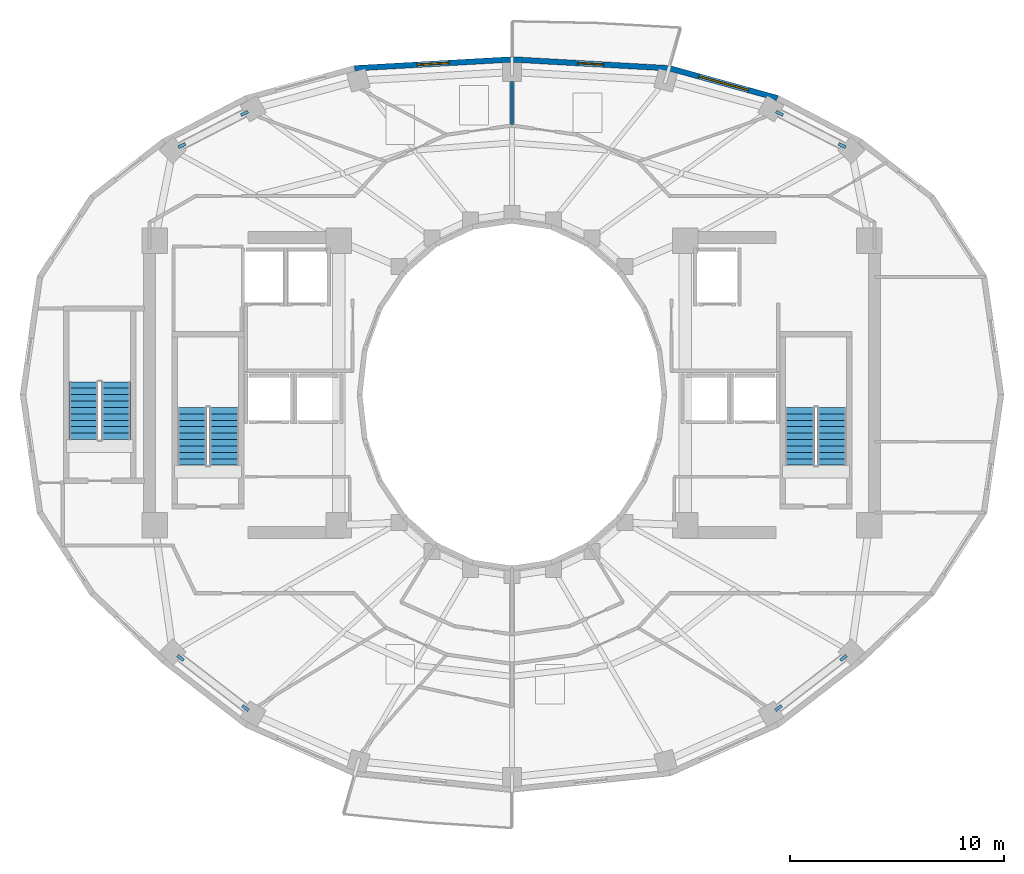
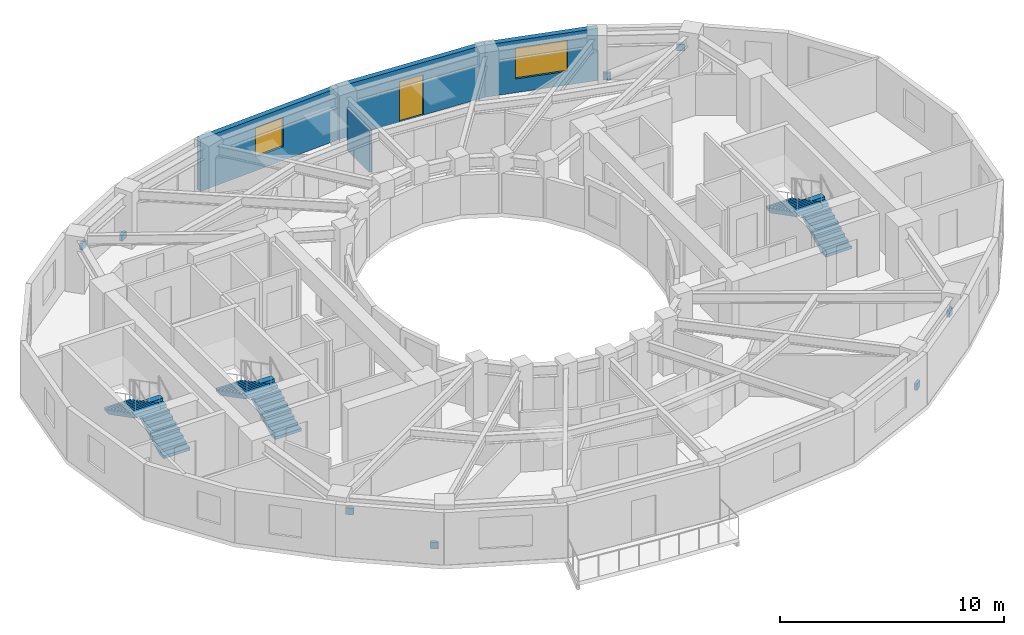
# One storey, part 7 of 9: 8 discrete accessories, 6 stair flights, 4 walls, 2 windows, 1 door, 3 openings, 3 elements without a shape of their own.
"""IFC4 building model written with IfcOpenShell, lengths in metres."""

from ifc_helpers import new_model, si_unit, direction, frame, frame_2d, origin, origin_2d, place, context, subcontext, project, spatial, polyline, rectangle, outline, extrude, material, layer, layer_set, type_object, element, fill, aggregate, save


model = new_model("IFC4")

# Units and contexts
model_context = context("Model", 3, precision=1e-05, world=origin(), true_north=direction((0.0, 1.0)))
body_context = subcontext(model_context, "Body", "Model", "MODEL_VIEW")
ifc_project = project(units=[si_unit("LENGTHUNIT", "METRE"), si_unit("AREAUNIT", "SQUARE_METRE"), si_unit("VOLUMEUNIT", "CUBIC_METRE"), si_unit("PLANEANGLEUNIT", "RADIAN"), si_unit("MASSUNIT", "GRAM", prefix="KILO")], contexts=[model_context])

# Site, building, storey
site_placement = place(None, origin())
site = spatial("IfcSite", under=ifc_project, at=site_placement, CompositionType="ELEMENT")
building_placement = place(site_placement, origin())
building = spatial("IfcBuilding", under=site, at=building_placement, Name="Solvane Sanctuary Tower", CompositionType="ELEMENT")
storey_placement = place(building_placement, frame((0.0, 0.0, 174.60009765625)))
storey = spatial("IfcBuildingStorey", under=building, at=storey_placement, Name="L53", CompositionType="ELEMENT", Elevation=174.60009765625)

# Wall, opening, window
ifc_material_1 = material(Name="Precast concrete C40/50", Category="concrete")
ifc_layer_1 = layer(ifc_material_1, 0.260009765625, Name="Precast concrete C40/50")
ifc_layer_set_1 = layer_set([ifc_layer_1], Name="Precast concrete C40/50")
wall_type_1 = type_object("IfcWallType", Name="Wall W-EXT-250", PredefinedType="STANDARD", material=ifc_layer_set_1)
wall_1_placement = place(storey_placement, frame((44.4130859375, 36.86328125, 0.0), z_axis=(0.0, 0.0, 1.0), x_axis=(-0.963953455704, 0.26607092144, 0.0)))
wall_1 = element("IfcWall", 1, at=wall_1_placement, inside=storey, type_object=wall_type_1, Name="L53 Ceramic-Printed Facade Wall 04", PredefinedType="STANDARD", context=body_context, shape_type="SweptSolid", body=[
    extrude(rectangle(XDim=5.236572265625, YDim=0.260009765625, at=frame_2d((2.6181640625, 0.0))), origin(), (0.0, 0.0, 1.0), 2.849853515625),
])
opening_1_placement = place(wall_1_placement, frame((1.418212890625, 0.0, 0.75)))
opening_1 = element("IfcOpeningElement", 2, at=opening_1_placement, cuts=wall_1, Name="Opening WN-RIB-2400", PredefinedType="OPENING", context=body_context, shape_type="SweptSolid", body=[
    extrude(rectangle(XDim=2.39990234375, YDim=1.699951171875, at=frame_2d((1.199951171875, 0.85009765625))), frame((0.0, 0.139892578125, 0.0), z_axis=(0.0, -1.0, 0.0), x_axis=(1.0, 0.0, 0.0)), (0.0, 0.0, 1.0), 0.280029296875),
])
ifc_material_2 = material(Name="Dark Ceramic-Fritted Low-E Glass", Category="glass")
window_type_1 = type_object("IfcWindowType", Name="Window WN-RIB-2400", PartitioningType="SINGLE_PANEL", PredefinedType="WINDOW", material=ifc_material_2)
window_1_placement = place(opening_1_placement, origin())
window_1 = element("IfcWindow", 3, at=window_1_placement, inside=storey, type_object=window_type_1, Name="L53 Operable Facade Window 04", OverallHeight=1.699951171875, OverallWidth=2.39990234375, PartitioningType="SINGLE_PANEL", PredefinedType="WINDOW", context=body_context, shape_type="SweptSolid", body=[
    extrude(rectangle(XDim=2.39990234375, YDim=1.699951171875, at=frame_2d((1.199951171875, 0.85009765625))), frame((0.0, 0.030029296875, 0.0), z_axis=(0.0, -1.0, 0.0), x_axis=(1.0, 0.0, 0.0)), (0.0, 0.0, 1.0), 0.06005859375),
])
fill(opening_1, window_1)

# Wall, opening, door
wall_2_placement = place(storey_placement, frame((39.365234375, 38.256591796875, 0.0), z_axis=(0.0, 0.0, 1.0), x_axis=(-0.998417906562, 0.056228852534, 0.0)))
wall_2 = element("IfcWall", 4, at=wall_2_placement, inside=storey, type_object=wall_type_1, Name="L53 Balcony Facade Wall NC", PredefinedType="STANDARD", context=body_context, shape_type="SweptSolid", body=[
    extrude(rectangle(XDim=7.376953125, YDim=0.260009765625, at=frame_2d((3.6884765625, 0.0))), origin(), (0.0, 0.0, 1.0), 2.8798828125),
])
opening_2_placement = place(wall_2_placement, frame((3.08837890625, 0.0, 0.0)))
opening_2 = element("IfcOpeningElement", 5, at=opening_2_placement, cuts=wall_2, Name="Opening D-L53-01", PredefinedType="OPENING", context=body_context, shape_type="SweptSolid", body=[
    extrude(rectangle(XDim=1.199951171875, YDim=2.199951171875, at=frame_2d((0.60009765625, 1.10009765625))), frame((0.0, 0.139892578125, 0.0), z_axis=(0.0, -1.0, 0.0), x_axis=(1.0, 0.0, 0.0)), (0.0, 0.0, 1.0), 0.280029296875),
])
ifc_material_3 = material(Name="Anodised Aluminium 6063-T6", Category="aluminium")
door_type = type_object("IfcDoorType", Name="Door D-BALC-1200", OperationType="NOTDEFINED", PredefinedType="DOOR", material=ifc_material_3)
door_placement = place(opening_2_placement, origin())
door = element("IfcDoor", 6, at=door_placement, inside=storey, type_object=door_type, Name="L53 Glazed Balcony Door NC", OperationType="SINGLE_SWING_RIGHT", OverallHeight=2.199951171875, OverallWidth=1.199951171875, PredefinedType="DOOR", context=body_context, shape_type="SweptSolid", body=[
    extrude(rectangle(XDim=1.199951171875, YDim=2.199951171875, at=frame_2d((0.60009765625, 1.10009765625))), frame((0.0, 0.02490234375, 0.0), z_axis=(0.0, -1.0, 0.0), x_axis=(1.0, 0.0, 0.0)), (0.0, 0.0, 1.0), 0.050048828125),
])
fill(opening_2, door)

# Wall, opening, window
wall_3_placement = place(storey_placement, frame((32.0, 38.67138671875, 0.0), z_axis=(0.0, 0.0, 1.0), x_axis=(-0.998417906562, -0.056228852534, 0.0)))
wall_3 = element("IfcWall", 7, at=wall_3_placement, inside=storey, type_object=wall_type_1, Name="L53 Ceramic-Printed Facade Wall 06", PredefinedType="STANDARD", context=body_context, shape_type="SweptSolid", body=[
    extrude(rectangle(XDim=7.376953125, YDim=0.260009765625, at=frame_2d((3.6884765625, 0.0))), origin(), (0.0, 0.0, 1.0), 2.849853515625),
])
opening_3_placement = place(wall_3_placement, frame((2.9384765625, 0.0, 0.75)))
opening_3 = element("IfcOpeningElement", 8, at=opening_3_placement, cuts=wall_3, Name="Opening WN-OPER-1500", PredefinedType="OPENING", context=body_context, shape_type="SweptSolid", body=[
    extrude(rectangle(XDim=1.5, YDim=1.60009765625, at=frame_2d((0.75, 0.800048828125))), frame((0.0, 0.139892578125, 0.0), z_axis=(0.0, -1.0, 0.0), x_axis=(1.0, 0.0, 0.0)), (0.0, 0.0, 1.0), 0.280029296875),
])
window_type_2 = type_object("IfcWindowType", Name="Window WN-OPER-1500", PartitioningType="SINGLE_PANEL", PredefinedType="WINDOW", material=ifc_material_2)
window_2_placement = place(opening_3_placement, origin())
window_2 = element("IfcWindow", 9, at=window_2_placement, inside=storey, type_object=window_type_2, Name="L53 Operable Facade Window 06", OverallHeight=1.60009765625, OverallWidth=1.5, PartitioningType="SINGLE_PANEL", PredefinedType="WINDOW", context=body_context, shape_type="SweptSolid", body=[
    extrude(rectangle(XDim=1.5, YDim=1.60009765625, at=frame_2d((0.75, 0.800048828125))), frame((0.0, 0.030029296875, 0.0), z_axis=(0.0, -1.0, 0.0), x_axis=(1.0, 0.0, 0.0)), (0.0, 0.0, 1.0), 0.06005859375),
])
fill(opening_3, window_2)

# Wall
ifc_material_4 = material(Name="Acoustic Gypsum Partition Board")
ifc_layer_2 = layer(ifc_material_4, 0.125, Name="Acoustic Gypsum Partition Board")
ifc_layer_set_2 = layer_set([ifc_layer_2], Name="Acoustic Gypsum Partition Board")
wall_type_2 = type_object("IfcWallType", Name="Wall W-PART-125", PredefinedType="PARTITIONING", material=ifc_layer_set_2)
wall_4_placement = place(storey_placement, frame((32.0, 35.636962890625, 0.0), z_axis=(0.0, 0.0, 1.0), x_axis=(0.0, 1.0, 0.0)))
element("IfcWall", 10, at=wall_4_placement, inside=storey, type_object=wall_type_2, Name="L53 Radial Compartment Wall 090", PredefinedType="PARTITIONING", context=body_context, shape_type="SweptSolid", body=[
    extrude(rectangle(XDim=2.012939453125, YDim=0.125, at=frame_2d((1.00634765625, 0.0))), origin(), (0.0, 0.0, 1.0), 2.298828125),
])

# Stair, stair flights
ifc_material_5 = material(Name="Concrete C45/55", Category="concrete")
stair_type = type_object("IfcStairType", Name="Stair ST-TOW", PredefinedType="HALF_TURN_STAIR", material=ifc_material_5)
stair_1_placement = place(storey_placement, origin())
stair_1 = element("IfcStair", 11, at=stair_1_placement, inside=storey, type_object=stair_type, Name="L53 Exit Stair ST-1 West Core", PredefinedType="HALF_TURN_STAIR")
stair_flight_type = type_object("IfcStairFlightType", Name="StairFlight SF-TOW", PredefinedType="STRAIGHT", material=ifc_material_5)
stair_flight_1_placement = place(storey_placement, frame((18.544921875, 19.699951171875, 0.0), z_axis=(0.0, 0.0, 1.0), x_axis=(0.0, 1.0, 0.0)))
stair_flight_1 = element("IfcStairFlight", 12, at=stair_flight_1_placement, type_object=stair_flight_type, Name="ST-1 flight 1", NumberOfRisers=10, NumberOfTreads=9, PredefinedType="STRAIGHT", RiserHeight=0.155, TreadLength=0.3, context=body_context, shape_type="SweptSolid", body=[
    extrude(outline(polyline([(0.0, 0.0), (0.0, 0.155029296875), (0.300048828125, 0.155029296875), (0.300048828125, 0.31005859375), (0.60009765625, 0.31005859375), (0.60009765625, 0.465087890625), (0.89990234375, 0.465087890625), (0.89990234375, 0.6201171875), (1.199951171875, 0.6201171875), (1.199951171875, 0.77490234375), (1.5, 0.77490234375), (1.5, 0.929931640625), (1.800048828125, 0.929931640625), (1.800048828125, 1.0849609375), (2.10009765625, 1.0849609375), (2.10009765625, 1.239990234375), (2.39990234375, 1.239990234375), (2.39990234375, 1.39501953125), (2.699951171875, 1.39501953125), (2.699951171875, 1.550048828125), (2.699951171875, 1.1923828125), (0.39208984375, 0.0), (0.0, 0.0)])), frame((0.0, 0.675048828125, 0.0), z_axis=(0.0, -1.0, 0.0), x_axis=(1.0, 0.0, 0.0)), (0.0, 0.0, 1.0), 1.35009765625),
])
stair_flight_2_placement = place(storey_placement, frame((17.034912109375, 22.39990234375, 1.5498046875), z_axis=(0.0, 0.0, 1.0), x_axis=(0.0, -1.0, 0.0)))
stair_flight_2 = element("IfcStairFlight", 13, at=stair_flight_2_placement, type_object=stair_flight_type, Name="ST-1 flight 2", NumberOfRisers=10, NumberOfTreads=9, PredefinedType="STRAIGHT", RiserHeight=0.155, TreadLength=0.3, context=body_context, shape_type="SweptSolid", body=[
    extrude(outline(polyline([(0.0, 0.0), (0.0, 0.155029296875), (0.300048828125, 0.155029296875), (0.300048828125, 0.31005859375), (0.60009765625, 0.31005859375), (0.60009765625, 0.465087890625), (0.89990234375, 0.465087890625), (0.89990234375, 0.6201171875), (1.199951171875, 0.6201171875), (1.199951171875, 0.77490234375), (1.5, 0.77490234375), (1.5, 0.929931640625), (1.800048828125, 0.929931640625), (1.800048828125, 1.0849609375), (2.10009765625, 1.0849609375), (2.10009765625, 1.239990234375), (2.39990234375, 1.239990234375), (2.39990234375, 1.39501953125), (2.699951171875, 1.39501953125), (2.699951171875, 1.550048828125), (2.699951171875, 1.1923828125), (0.39208984375, 0.0), (0.0, 0.0)])), frame((0.0, 0.675048828125, 0.0), z_axis=(0.0, -1.0, 0.0), x_axis=(1.0, 0.0, 0.0)), (0.0, 0.0, 1.0), 1.35009765625),
])
aggregate(stair_1, [stair_flight_1, stair_flight_2])

stair_2_placement = place(storey_placement, origin())
stair_2 = element("IfcStair", 14, at=stair_2_placement, inside=storey, type_object=stair_type, Name="L53 Exit Stair ST-2 East Core", PredefinedType="HALF_TURN_STAIR")
stair_flight_3_placement = place(storey_placement, frame((46.965087890625, 19.699951171875, 0.0), z_axis=(0.0, 0.0, 1.0), x_axis=(0.0, 1.0, 0.0)))
stair_flight_3 = element("IfcStairFlight", 15, at=stair_flight_3_placement, type_object=stair_flight_type, Name="ST-2 flight 1", NumberOfRisers=10, NumberOfTreads=9, PredefinedType="STRAIGHT", RiserHeight=0.155, TreadLength=0.3, context=body_context, shape_type="SweptSolid", body=[
    extrude(outline(polyline([(0.0, 0.0), (0.0, 0.155029296875), (0.300048828125, 0.155029296875), (0.300048828125, 0.31005859375), (0.60009765625, 0.31005859375), (0.60009765625, 0.465087890625), (0.89990234375, 0.465087890625), (0.89990234375, 0.6201171875), (1.199951171875, 0.6201171875), (1.199951171875, 0.77490234375), (1.5, 0.77490234375), (1.5, 0.929931640625), (1.800048828125, 0.929931640625), (1.800048828125, 1.0849609375), (2.10009765625, 1.0849609375), (2.10009765625, 1.239990234375), (2.39990234375, 1.239990234375), (2.39990234375, 1.39501953125), (2.699951171875, 1.39501953125), (2.699951171875, 1.550048828125), (2.699951171875, 1.1923828125), (0.39208984375, 0.0), (0.0, 0.0)])), frame((0.0, 0.675048828125, 0.0), z_axis=(0.0, -1.0, 0.0), x_axis=(1.0, 0.0, 0.0)), (0.0, 0.0, 1.0), 1.35009765625),
])
stair_flight_4_placement = place(storey_placement, frame((45.455078125, 22.39990234375, 1.5498046875), z_axis=(0.0, 0.0, 1.0), x_axis=(0.0, -1.0, 0.0)))
stair_flight_4 = element("IfcStairFlight", 16, at=stair_flight_4_placement, type_object=stair_flight_type, Name="ST-2 flight 2", NumberOfRisers=10, NumberOfTreads=9, PredefinedType="STRAIGHT", RiserHeight=0.155, TreadLength=0.3, context=body_context, shape_type="SweptSolid", body=[
    extrude(outline(polyline([(0.0, 0.0), (0.0, 0.155029296875), (0.300048828125, 0.155029296875), (0.300048828125, 0.31005859375), (0.60009765625, 0.31005859375), (0.60009765625, 0.465087890625), (0.89990234375, 0.465087890625), (0.89990234375, 0.6201171875), (1.199951171875, 0.6201171875), (1.199951171875, 0.77490234375), (1.5, 0.77490234375), (1.5, 0.929931640625), (1.800048828125, 0.929931640625), (1.800048828125, 1.0849609375), (2.10009765625, 1.0849609375), (2.10009765625, 1.239990234375), (2.39990234375, 1.239990234375), (2.39990234375, 1.39501953125), (2.699951171875, 1.39501953125), (2.699951171875, 1.550048828125), (2.699951171875, 1.1923828125), (0.39208984375, 0.0), (0.0, 0.0)])), frame((0.0, 0.675048828125, 0.0), z_axis=(0.0, -1.0, 0.0), x_axis=(1.0, 0.0, 0.0)), (0.0, 0.0, 1.0), 1.35009765625),
])
aggregate(stair_2, [stair_flight_3, stair_flight_4])

stair_3_placement = place(storey_placement, origin())
stair_3 = element("IfcStair", 17, at=stair_3_placement, inside=storey, type_object=stair_type, Name="L53 Exit Stair ST-3 Pilgrim Tower Stair", PredefinedType="HALF_TURN_STAIR")
stair_flight_5_placement = place(storey_placement, frame((13.485107421875, 20.89990234375, 0.0), z_axis=(0.0, 0.0, 1.0), x_axis=(0.0, 1.0, 0.0)))
stair_flight_5 = element("IfcStairFlight", 18, at=stair_flight_5_placement, type_object=stair_flight_type, Name="ST-3 flight 1", NumberOfRisers=10, NumberOfTreads=9, PredefinedType="STRAIGHT", RiserHeight=0.155, TreadLength=0.3, context=body_context, shape_type="SweptSolid", body=[
    extrude(outline(polyline([(0.0, 0.0), (0.0, 0.155029296875), (0.300048828125, 0.155029296875), (0.300048828125, 0.31005859375), (0.60009765625, 0.31005859375), (0.60009765625, 0.465087890625), (0.89990234375, 0.465087890625), (0.89990234375, 0.6201171875), (1.199951171875, 0.6201171875), (1.199951171875, 0.77490234375), (1.5, 0.77490234375), (1.5, 0.929931640625), (1.800048828125, 0.929931640625), (1.800048828125, 1.0849609375), (2.10009765625, 1.0849609375), (2.10009765625, 1.239990234375), (2.39990234375, 1.239990234375), (2.39990234375, 1.39501953125), (2.699951171875, 1.39501953125), (2.699951171875, 1.550048828125), (2.699951171875, 1.1923828125), (0.39208984375, 0.0), (0.0, 0.0)])), frame((0.0, 0.675048828125, 0.0), z_axis=(0.0, -1.0, 0.0), x_axis=(1.0, 0.0, 0.0)), (0.0, 0.0, 1.0), 1.35009765625),
])
stair_flight_6_placement = place(storey_placement, frame((11.97509765625, 23.60009765625, 1.5498046875), z_axis=(0.0, 0.0, 1.0), x_axis=(0.0, -1.0, 0.0)))
stair_flight_6 = element("IfcStairFlight", 19, at=stair_flight_6_placement, type_object=stair_flight_type, Name="ST-3 flight 2", NumberOfRisers=10, NumberOfTreads=9, PredefinedType="STRAIGHT", RiserHeight=0.155, TreadLength=0.3, context=body_context, shape_type="SweptSolid", body=[
    extrude(outline(polyline([(0.0, 0.0), (0.0, 0.155029296875), (0.300048828125, 0.155029296875), (0.300048828125, 0.31005859375), (0.60009765625, 0.31005859375), (0.60009765625, 0.465087890625), (0.89990234375, 0.465087890625), (0.89990234375, 0.6201171875), (1.199951171875, 0.6201171875), (1.199951171875, 0.77490234375), (1.5, 0.77490234375), (1.5, 0.929931640625), (1.800048828125, 0.929931640625), (1.800048828125, 1.0849609375), (2.10009765625, 1.0849609375), (2.10009765625, 1.239990234375), (2.39990234375, 1.239990234375), (2.39990234375, 1.39501953125), (2.699951171875, 1.39501953125), (2.699951171875, 1.550048828125), (2.699951171875, 1.1923828125), (0.39208984375, 0.0), (0.0, 0.0)])), frame((0.0, 0.675048828125, 0.0), z_axis=(0.0, -1.0, 0.0), x_axis=(1.0, 0.0, 0.0)), (0.0, 0.0, 1.0), 1.35009765625),
])
aggregate(stair_3, [stair_flight_5, stair_flight_6])

# Discrete accessories
ifc_material_6 = material(Name="Steel ASTM A572 Grade 50", Category="steel")
ifc_layer_3 = layer(ifc_material_6, 0.360107421875, Name="Steel ASTM A572 Grade 50")
ifc_layer_set_3 = layer_set([ifc_layer_3], Name="Steel ASTM A572 Grade 50")
discrete_accessory_type = type_object("IfcDiscreteAccessoryType", Name="Accessory ACC-GUSSET-BRK", PredefinedType="BRACKET", material=ifc_layer_set_3)
for number, where, z_axis, x_axis, name in (
    (20, (44.502685546875, 36.151123046875, 0.4013671875), (0.0, 0.0, 1.0), (0.889256761832, -0.457408364087, 0.0), "L53 Perimeter Braced-Tube Diagonal NE End Gusset Bracket A"),
    (21, (47.432373046875, 34.64453125, 1.85888671875), (0.0, 0.0, 1.0), (0.889256761832, -0.457408364087, 0.0), "L53 Perimeter Braced-Tube Diagonal NE End Gusset Bracket B"),
    (22, (19.497314453125, 36.151123046875, 0.4013671875), (0.0, 0.0, 1.0), (-0.889256761832, -0.457408364087, 0.0), "L53 Perimeter Braced-Tube Diagonal NW End Gusset Bracket A"),
    (23, (16.567626953125, 34.64453125, 1.85888671875), (0.0, 0.0, 1.0), (-0.889256761832, -0.457408364087, 0.0), "L53 Perimeter Braced-Tube Diagonal NW End Gusset Bracket B"),
    (24, (19.53857421875, 8.35205078125, 0.380859375), (0.0, 0.0, 1.0), (-0.79207661425, 0.610421687982, 0.0), "L53 Perimeter Braced-Tube Diagonal SW End Gusset Bracket A"),
    (25, (16.506591796875, 10.68896484375, 1.88916015625), (0.0, 0.0, 1.0), (-0.79207661425, 0.610421687982, 0.0), "L53 Perimeter Braced-Tube Diagonal SW End Gusset Bracket B"),
    (26, (44.46142578125, 8.35205078125, 0.380859375), (0.0, 0.0, 1.0), (0.79207661425, 0.610421687982, 0.0), "L53 Perimeter Braced-Tube Diagonal SE End Gusset Bracket A"),
    (27, (47.493408203125, 10.68896484375, 1.88916015625), (0.0, 0.0, 1.0), (0.79207661425, 0.610421687982, 0.0), "L53 Perimeter Braced-Tube Diagonal SE End Gusset Bracket B"),
):
    element("IfcDiscreteAccessory", number, at=place(storey_placement, frame(where, z_axis=z_axis, x_axis=x_axis)), inside=storey, type_object=discrete_accessory_type, Name=name, PredefinedType="BRACKET", context=body_context, shape_type="SweptSolid", body=[
        extrude(rectangle(XDim=0.360107421875, YDim=0.139892578125, at=origin_2d()), origin(), (0.0, 0.0, 1.0), 0.360107421875),
    ])

save(model, "model.ifc")
